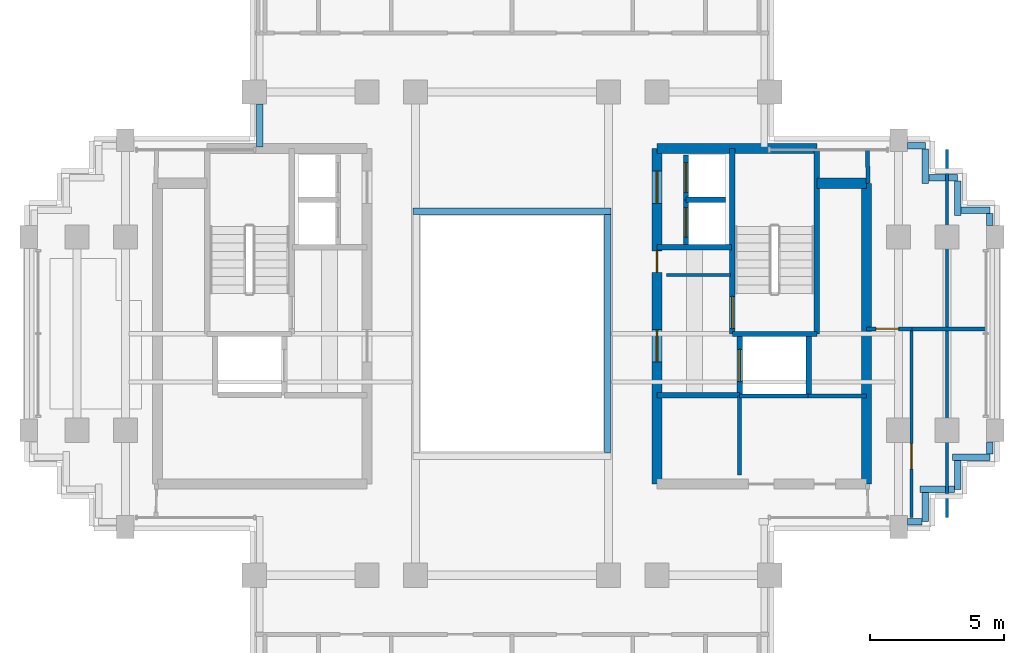
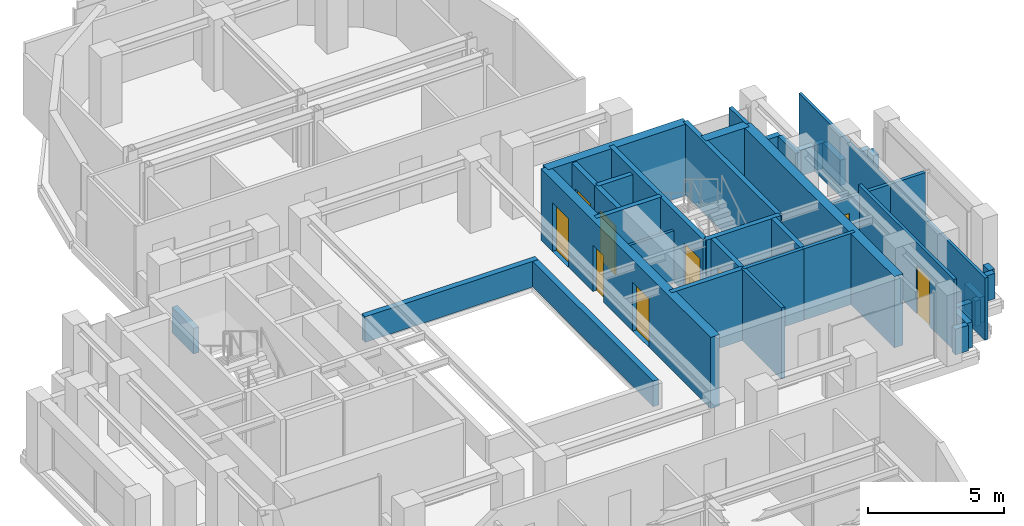
# One storey, part 7 of 11: 40 walls, 9 doors, 9 openings.
"""IFC4 building model written with IfcOpenShell, lengths in metres."""

from ifc_helpers import new_model, si_unit, direction, frame, frame_2d, origin, place, context, subcontext, project, spatial, rectangle, extrude, source, transform, mapped, material, layer, layer_set, type_object, element, fill, save


model = new_model("IFC4")

# Units and contexts
model_context = context("Model", 3, precision=1e-05, world=origin(), true_north=direction((0.0, 1.0)))
body_context = subcontext(model_context, "Body", "Model", "MODEL_VIEW")
ifc_project = project(units=[si_unit("LENGTHUNIT", "METRE"), si_unit("AREAUNIT", "SQUARE_METRE"), si_unit("VOLUMEUNIT", "CUBIC_METRE"), si_unit("PLANEANGLEUNIT", "RADIAN"), si_unit("MASSUNIT", "GRAM", prefix="KILO")], contexts=[model_context])

# Site, building, storey
site_placement = place(None, origin())
site = spatial("IfcSite", under=ifc_project, at=site_placement, CompositionType="ELEMENT")
building_placement = place(site_placement, origin())
building = spatial("IfcBuilding", under=site, at=building_placement, Name="Keilestroom Media Tower", CompositionType="ELEMENT")
storey_placement = place(building_placement, frame((0.0, 0.0, 194.39990234375)))
storey = spatial("IfcBuildingStorey", under=building, at=storey_placement, Name="L53", CompositionType="ELEMENT", Elevation=194.39990234375)

# Walls
ifc_material_1 = material(Name="Gypsum Plasterboard & Steel Stud", Category="steel")
ifc_layer_1 = layer(ifc_material_1, 0.1201171875)
ifc_layer_set_1 = layer_set([ifc_layer_1], Name="Gypsum Plasterboard & Steel Stud")
wall_type_1 = type_object("IfcWallType", Name="Interior-Partition-Wall-120", PredefinedType="PARTITIONING", material=ifc_layer_set_1)
wall_1_placement = place(storey_placement, frame((5.75, 2.179931640625, 0.0), z_axis=(0.0, 0.0, 1.0), x_axis=(1.0, 0.0, 0.0)))
element("IfcWall", 1, at=wall_1_placement, inside=storey, type_object=wall_type_1, Name="L53 Interior Wall WP-L53-CIE-S", PredefinedType="PARTITIONING", context=body_context, shape_type="SweptSolid", body=[
    extrude(rectangle(XDim=2.389892578125, YDim=0.1201171875, at=frame_2d((1.19482421875, 0.0))), origin(), (0.0, 0.0, 1.0), 2.300048828125),
])
wall_2_placement = place(storey_placement, frame((16.199951171875, -6.85009765625, 0.0), z_axis=(0.0, 0.0, 1.0), x_axis=(0.0, 1.0, 0.0)))
element("IfcWall", 2, at=wall_2_placement, inside=storey, type_object=wall_type_1, Name="L53 Interior Wall WP-L53-HGYM-COL", PredefinedType="PARTITIONING", context=body_context, shape_type="SweptSolid", body=[
    extrude(rectangle(XDim=13.7001953125, YDim=0.1201171875, at=frame_2d((6.85009765625, 0.0))), origin(), (0.0, 0.0, 1.0), 2.800048828125),
])

# Wall, opening, door
wall_3_placement = place(storey_placement, frame((14.8798828125, -6.85009765625, 0.0), z_axis=(0.0, 0.0, 1.0), x_axis=(0.0, 1.0, 0.0)))
wall_3 = element("IfcWall", 3, at=wall_3_placement, inside=storey, type_object=wall_type_1, Name="L53 Interior Wall WP-L53-HSKP307-W", PredefinedType="PARTITIONING", context=body_context, shape_type="SweptSolid", body=[
    extrude(rectangle(XDim=7.030029296875, YDim=0.1201171875, at=frame_2d((3.51513671875, 0.0))), origin(), (0.0, 0.0, 1.0), 3.2001953125),
])
opening_1_placement = place(wall_3_placement, frame((1.800048828125, 0.0, 0.0)))
opening_1 = element("IfcOpeningElement", 4, at=opening_1_placement, cuts=wall_3, Name="Opening DI-03", PredefinedType="OPENING", context=body_context, shape_type="SweptSolid", body=[
    extrude(rectangle(XDim=0.949951171875, YDim=2.14990234375, at=frame_2d((0.47509765625, 1.074951171875))), frame((0.0, 0.070068359375, 0.0), z_axis=(0.0, -1.0, 0.0), x_axis=(1.0, 0.0, 0.0)), (0.0, 0.0, 1.0), 0.14013671875),
])
ifc_material_2 = material(Name="Lacquered European Oak Leaf", Category="wood")
door_type_1 = type_object("IfcDoorType", Name="Interior-Room-And-Suite-Door-DI-03", OperationType="NOTDEFINED", PredefinedType="DOOR", material=ifc_material_2)
shared_shape_1 = source(origin(), body_context, "Body", "SweptSolid", [
    extrude(rectangle(XDim=0.949951171875, YDim=2.14990234375, at=frame_2d((0.47509765625, 1.074951171875))), frame((0.0, 0.02490234375, 0.0), z_axis=(0.0, -1.0, 0.0), x_axis=(1.0, 0.0, 0.0)), (0.0, 0.0, 1.0), 0.050048828125),
])
door_1_placement = place(opening_1_placement, origin())
door_1 = element("IfcDoor", 5, at=door_1_placement, inside=storey, type_object=door_type_1, Name="L53 Interior Door DI-L53-DHSKP307-L", OperationType="SINGLE_SWING_LEFT", OverallHeight=2.14990234375, OverallWidth=0.949951171875, PredefinedType="DOOR", context=body_context, shape_type="MappedRepresentation", body=[
    mapped(shared_shape_1, transform((0.0, 0.0, 0.0), x_axis=(1.0, 0.0, 0.0), y_axis=(0.0, 1.0, 0.0), z_axis=(0.0, 0.0, 1.0), scale=1.0)),
])
fill(opening_1, door_1)

# Walls
ifc_layer_2 = layer(ifc_material_1, 0.14990234375)
ifc_layer_set_2 = layer_set([ifc_layer_2], Name="Gypsum Plasterboard & Steel Stud")
wall_type_2 = type_object("IfcWallType", Name="Interior-Partition-Wall-150", PredefinedType="PARTITIONING", material=ifc_layer_set_2)
wall_4_placement = place(storey_placement, frame((11.02001953125, -2.320068359375, 0.0), z_axis=(0.0, 0.0, 1.0), x_axis=(1.0, 0.0, 0.0)))
element("IfcWall", 6, at=wall_4_placement, inside=storey, type_object=wall_type_2, Name="L53 Interior Wall WP-L53-RECLE-N", PredefinedType="PARTITIONING", context=body_context, shape_type="SweptSolid", body=[
    extrude(rectangle(XDim=2.179931640625, YDim=0.14990234375, at=frame_2d((1.08984375, 0.0))), origin(), (0.0, 0.0, 1.0), 3.2001953125),
])
wall_5_placement = place(storey_placement, frame((8.47998046875, -5.260009765625, 0.0), z_axis=(0.0, 0.0, 1.0), x_axis=(0.0, 1.0, 0.0)))
element("IfcWall", 7, at=wall_5_placement, inside=storey, type_object=wall_type_2, Name="L53 Interior Wall WP-L53-RECME-W", PredefinedType="PARTITIONING", context=body_context, shape_type="SweptSolid", body=[
    extrude(rectangle(XDim=2.93994140625, YDim=0.14990234375, at=frame_2d((1.469970703125, 0.0))), origin(), (0.0, 0.0, 1.0), 3.2001953125),
])
wall_6_placement = place(storey_placement, frame((8.47998046875, -2.320068359375, 0.0), z_axis=(0.0, 0.0, 1.0), x_axis=(1.0, 0.0, 0.0)))
element("IfcWall", 8, at=wall_6_placement, inside=storey, type_object=wall_type_2, Name="L53 Interior Wall WP-L53-RECME-N", PredefinedType="PARTITIONING", context=body_context, shape_type="SweptSolid", body=[
    extrude(rectangle(XDim=2.56005859375, YDim=0.14990234375, at=frame_2d((1.280029296875, 0.0))), origin(), (0.0, 0.0, 1.0), 3.2001953125),
])
wall_7_placement = place(storey_placement, frame((13.260009765625, 5.60009765625, 0.0), z_axis=(0.0, 0.0, 1.0), x_axis=(-0.016013571389, 0.999871774545, 0.0)))
element("IfcWall", 9, at=wall_7_placement, inside=storey, type_object=wall_type_2, Name="L53 Interior Wall WP-L53-HGYM-ENTN", PredefinedType="PARTITIONING", context=body_context, shape_type="SweptSolid", body=[
    extrude(rectangle(XDim=1.250244140625, YDim=0.14990234375, at=frame_2d((0.625, 0.0))), origin(), (0.0, 0.0, 1.0), 3.2001953125),
])
wall_8_placement = place(storey_placement, frame((14.89990234375, 0.179931640625, 0.0), z_axis=(0.0, 0.0, 1.0), x_axis=(1.0, 0.0, 0.0)))
element("IfcWall", 10, at=wall_8_placement, inside=storey, type_object=wall_type_2, Name="L53 Interior Wall WP-L53-HGYM-M", PredefinedType="PARTITIONING", context=body_context, shape_type="SweptSolid", body=[
    extrude(rectangle(XDim=2.75, YDim=0.14990234375, at=frame_2d((1.375, 0.0))), origin(), (0.0, 0.0, 1.0), 2.800048828125),
])

# Wall, opening, door
wall_9_placement = place(storey_placement, frame((13.199951171875, 0.179931640625, 0.0), z_axis=(0.0, 0.0, 1.0), x_axis=(1.0, 0.0, 0.0)))
wall_9 = element("IfcWall", 11, at=wall_9_placement, inside=storey, type_object=wall_type_2, Name="L53 Interior Wall WP-L53-HGYM-S0", PredefinedType="PARTITIONING", context=body_context, shape_type="SweptSolid", body=[
    extrude(rectangle(XDim=1.699951171875, YDim=0.14990234375, at=frame_2d((0.85009765625, 0.0))), origin(), (0.0, 0.0, 1.0), 2.800048828125),
])
opening_2_placement = place(wall_9_placement, frame((0.35009765625, 0.0, 0.0)))
opening_2 = element("IfcOpeningElement", 12, at=opening_2_placement, cuts=wall_9, Name="Opening DI-05", PredefinedType="OPENING", context=body_context, shape_type="SweptSolid", body=[
    extrude(rectangle(XDim=0.85009765625, YDim=2.10009765625, at=frame_2d((0.425048828125, 1.050048828125))), frame((0.0, 0.0849609375, 0.0), z_axis=(0.0, -1.0, 0.0), x_axis=(1.0, 0.0, 0.0)), (0.0, 0.0, 1.0), 0.169921875),
])
ifc_material_3 = material(Name="Moisture-Resistant Oak Leaf", Category="wood")
door_type_2 = type_object("IfcDoorType", Name="Interior-En-Suite-And-Cupboard-Door-DI-05", OperationType="NOTDEFINED", PredefinedType="DOOR", material=ifc_material_3)
shared_shape_2 = source(origin(), body_context, "Body", "SweptSolid", [
    extrude(rectangle(XDim=0.85009765625, YDim=2.10009765625, at=frame_2d((0.425048828125, 1.050048828125))), frame((0.0, 0.02490234375, 0.0), z_axis=(0.0, -1.0, 0.0), x_axis=(1.0, 0.0, 0.0)), (0.0, 0.0, 1.0), 0.050048828125),
])
door_2_placement = place(opening_2_placement, origin())
door_2 = element("IfcDoor", 13, at=door_2_placement, inside=storey, type_object=door_type_2, Name="L53 Interior Door DI-L53-DGYM-E", OperationType="SINGLE_SWING_RIGHT", OverallHeight=2.10009765625, OverallWidth=0.85009765625, PredefinedType="DOOR", context=body_context, shape_type="MappedRepresentation", body=[
    mapped(shared_shape_2, transform((0.0, 0.0, 0.0), x_axis=(1.0, 0.0, 0.0), y_axis=(0.0, 1.0, 0.0), z_axis=(0.0, 0.0, 1.0), scale=1.0)),
])
fill(opening_2, door_2)

# Wall
ifc_material_4 = material(Name="Concrete C55/67", Category="concrete")
ifc_layer_3 = layer(ifc_material_4, 0.3798828125)
ifc_layer_set_3 = layer_set([ifc_layer_3], Name="Concrete C55/67")
wall_type_3 = type_object("IfcWallType", Name="Reinforced-Concrete-Core-Shear-Wall-380", PredefinedType="SHEAR", material=ifc_layer_set_3)
wall_10_placement = place(storey_placement, frame((13.199951171875, -5.60009765625, 0.0), z_axis=(0.0, 0.0, 1.0), x_axis=(0.0, 1.0, 0.0)))
element("IfcWall", 14, at=wall_10_placement, inside=storey, type_object=wall_type_3, Name="L53 Core Shear Wall WL-L53-CORE-E-OUT", PredefinedType="SHEAR", context=body_context, shape_type="SweptSolid", body=[
    extrude(rectangle(XDim=11.2001953125, YDim=0.3798828125, at=frame_2d((5.60009765625, 0.0))), origin(), (0.0, 0.0, 1.0), 3.2001953125),
])

# Wall, openings, doors
wall_11_placement = place(storey_placement, frame((5.39990234375, -5.60009765625, 0.0), z_axis=(0.0, 0.0, 1.0), x_axis=(0.0, 1.0, 0.0)))
wall_11 = element("IfcWall", 15, at=wall_11_placement, inside=storey, type_object=wall_type_3, Name="L53 Core Shear Wall WL-L53-CORE-E-IN", PredefinedType="SHEAR", context=body_context, shape_type="SweptSolid", body=[
    extrude(rectangle(XDim=12.5, YDim=0.3798828125, at=frame_2d((6.25, 0.0))), origin(), (0.0, 0.0, 1.0), 3.2001953125),
])
opening_3_placement = place(wall_11_placement, frame((4.550048828125, 0.0, 0.0)))
opening_3 = element("IfcOpeningElement", 16, at=opening_3_placement, cuts=wall_11, Name="Opening DI-02", PredefinedType="OPENING", context=body_context, shape_type="SweptSolid", body=[
    extrude(rectangle(XDim=1.199951171875, YDim=2.199951171875, at=frame_2d((0.60009765625, 1.10009765625))), frame((0.0, 0.199951171875, 0.0), z_axis=(0.0, -1.0, 0.0), x_axis=(1.0, 0.0, 0.0)), (0.0, 0.0, 1.0), 0.39990234375),
])
opening_4_placement = place(wall_11_placement, frame((10.449951171875, 0.0, 0.0)))
opening_4 = element("IfcOpeningElement", 17, at=opening_4_placement, cuts=wall_11, Name="Opening DI-02", PredefinedType="OPENING", context=body_context, shape_type="SweptSolid", body=[
    extrude(rectangle(XDim=1.199951171875, YDim=2.199951171875, at=frame_2d((0.60009765625, 1.10009765625))), frame((0.0, 0.199951171875, 0.0), z_axis=(0.0, -1.0, 0.0), x_axis=(1.0, 0.0, 0.0)), (0.0, 0.0, 1.0), 0.39990234375),
])
opening_5_placement = place(wall_11_placement, frame((7.8798828125, 0.0, 0.0)))
opening_5 = element("IfcOpeningElement", 18, at=opening_5_placement, cuts=wall_11, Name="Opening DI-06", PredefinedType="OPENING", context=body_context, shape_type="SweptSolid", body=[
    extrude(rectangle(XDim=0.800048828125, YDim=2.10009765625, at=frame_2d((0.39990234375, 1.050048828125))), frame((0.0, 0.199951171875, 0.0), z_axis=(0.0, -1.0, 0.0), x_axis=(1.0, 0.0, 0.0)), (0.0, 0.0, 1.0), 0.39990234375),
])
ifc_material_5 = material(Name="Powder-Coated Steel Fire Leaf", Category="steel")
door_type_3 = type_object("IfcDoorType", Name="Interior-Compartment-Fire-Door-DI-02", OperationType="NOTDEFINED", PredefinedType="DOOR", material=ifc_material_5)
shared_shape_3 = source(origin(), body_context, "Body", "SweptSolid", [
    extrude(rectangle(XDim=1.199951171875, YDim=2.199951171875, at=frame_2d((0.60009765625, 1.10009765625))), frame((0.0, 0.02490234375, 0.0), z_axis=(0.0, -1.0, 0.0), x_axis=(1.0, 0.0, 0.0)), (0.0, 0.0, 1.0), 0.050048828125),
])
door_3_placement = place(opening_3_placement, origin())
door_3 = element("IfcDoor", 19, at=door_3_placement, inside=storey, type_object=door_type_3, Name="L53 E Firefighting Lobby Door", OperationType="SINGLE_SWING_LEFT", OverallHeight=2.199951171875, OverallWidth=1.199951171875, PredefinedType="DOOR", context=body_context, shape_type="MappedRepresentation", body=[
    mapped(shared_shape_3, transform((0.0, 0.0, 0.0), x_axis=(1.0, 0.0, 0.0), y_axis=(0.0, 1.0, 0.0), z_axis=(0.0, 0.0, 1.0), scale=1.0)),
])
fill(opening_3, door_3)
door_4_placement = place(opening_4_placement, origin())
door_4 = element("IfcDoor", 20, at=door_4_placement, inside=storey, type_object=door_type_3, Name="L53 E High-Rise Lift Lobby Door", OperationType="SINGLE_SWING_RIGHT", OverallHeight=2.199951171875, OverallWidth=1.199951171875, PredefinedType="DOOR", context=body_context, shape_type="MappedRepresentation", body=[
    mapped(shared_shape_3, transform((0.0, 0.0, 0.0), x_axis=(1.0, 0.0, 0.0), y_axis=(0.0, 1.0, 0.0), z_axis=(0.0, 0.0, 1.0), scale=1.0)),
])
fill(opening_4, door_4)
ifc_material_6 = material(Name="Powder-Coated Steel Service Leaf", Category="steel")
door_type_4 = type_object("IfcDoorType", Name="Interior-Riser-Access-Door-DI-06", OperationType="NOTDEFINED", PredefinedType="DOOR", material=ifc_material_6)
shared_shape_4 = source(origin(), body_context, "Body", "SweptSolid", [
    extrude(rectangle(XDim=0.800048828125, YDim=2.10009765625, at=frame_2d((0.39990234375, 1.050048828125))), frame((0.0, 0.02490234375, 0.0), z_axis=(0.0, -1.0, 0.0), x_axis=(1.0, 0.0, 0.0)), (0.0, 0.0, 1.0), 0.050048828125),
])
door_5_placement = place(opening_5_placement, origin())
door_5 = element("IfcDoor", 21, at=door_5_placement, inside=storey, type_object=door_type_4, Name="L53 East Core Closet Door", OperationType="SINGLE_SWING_RIGHT", OverallHeight=2.10009765625, OverallWidth=0.800048828125, PredefinedType="DOOR", context=body_context, shape_type="MappedRepresentation", body=[
    mapped(shared_shape_4, transform((0.0, 0.0, 0.0), x_axis=(1.0, 0.0, 0.0), y_axis=(0.0, 1.0, 0.0), z_axis=(0.0, 0.0, 1.0), scale=1.0)),
])
fill(opening_5, door_5)

# Walls
wall_12_placement = place(storey_placement, frame((5.39990234375, 6.89990234375, 0.0), z_axis=(0.0, 0.0, 1.0), x_axis=(1.0, 0.0, 0.0)))
element("IfcWall", 22, at=wall_12_placement, inside=storey, type_object=wall_type_3, Name="L53 Core Shear Wall WL-L53-CORE-E-N", PredefinedType="SHEAR", context=body_context, shape_type="SweptSolid", body=[
    extrude(rectangle(XDim=5.9560546875, YDim=0.3798828125, at=frame_2d((2.97802734375, 0.0))), origin(), (0.0, 0.0, 1.0), 3.2001953125),
])
wall_13_placement = place(storey_placement, frame((11.35595703125, 5.60009765625, 0.0), z_axis=(0.0, 0.0, 1.0), x_axis=(1.0, 0.0, 0.0)))
element("IfcWall", 23, at=wall_13_placement, inside=storey, type_object=wall_type_3, Name="L53 Core Shear Wall WL-L53-CNE-N", PredefinedType="SHEAR", context=body_context, shape_type="SweptSolid", body=[
    extrude(rectangle(XDim=1.843994140625, YDim=0.3798828125, at=frame_2d((0.921875, 0.0))), origin(), (0.0, 0.0, 1.0), 3.2001953125),
])
ifc_material_7 = material(Name="Concrete C50/60", Category="concrete")
ifc_layer_4 = layer(ifc_material_7, 0.199951171875)
ifc_layer_set_4 = layer_set([ifc_layer_4], Name="Concrete C50/60")
wall_type_4 = type_object("IfcWallType", Name="Reinforced-Concrete-Shaft-Wall-200", PredefinedType="SOLIDWALL", material=ifc_layer_set_4)
wall_14_placement = place(storey_placement, frame((5.39990234375, 3.219970703125, 0.0), z_axis=(0.0, 0.0, 1.0), x_axis=(1.0, 0.0, 0.0)))
element("IfcWall", 24, at=wall_14_placement, inside=storey, type_object=wall_type_4, Name="L53 Core Shear Wall WL-L53-CORE-E-FFN", PredefinedType="SOLIDWALL", context=body_context, shape_type="SweptSolid", body=[
    extrude(rectangle(XDim=2.780029296875, YDim=0.199951171875, at=frame_2d((1.39013671875, 0.0))), origin(), (0.0, 0.0, 1.0), 3.2001953125),
])
wall_15_placement = place(storey_placement, frame((5.39990234375, -2.300048828125, 0.0), z_axis=(0.0, 0.0, 1.0), x_axis=(1.0, 0.0, 0.0)))
element("IfcWall", 25, at=wall_15_placement, inside=storey, type_object=wall_type_4, Name="L53 Core Shear Wall WL-L53-CORE-E-FFS", PredefinedType="SOLIDWALL", context=body_context, shape_type="SweptSolid", body=[
    extrude(rectangle(XDim=3.080078125, YDim=0.199951171875, at=frame_2d((1.5400390625, 0.0))), origin(), (0.0, 0.0, 1.0), 3.2001953125),
])

# Wall, opening, door
wall_16_placement = place(storey_placement, frame((8.2041015625, -0.01611328125, 0.0), z_axis=(0.0, 0.0, 1.0), x_axis=(0.0, 1.0, 0.0)))
wall_16 = element("IfcWall", 26, at=wall_16_placement, inside=storey, type_object=wall_type_4, Name="L53 Core Shear Wall WL-L53-STW-E-NEAR", PredefinedType="SOLIDWALL", context=body_context, shape_type="SweptSolid", body=[
    extrude(rectangle(XDim=6.916015625, YDim=0.199951171875, at=frame_2d((3.4580078125, 0.0))), origin(), (0.0, 0.0, 1.0), 3.2001953125),
])
opening_6_placement = place(wall_16_placement, frame((0.199951171875, 0.0, 0.0)))
opening_6 = element("IfcOpeningElement", 27, at=opening_6_placement, cuts=wall_16, Name="Opening DI-01S", PredefinedType="OPENING", context=body_context, shape_type="SweptSolid", body=[
    extrude(rectangle(XDim=1.199951171875, YDim=2.199951171875, at=frame_2d((0.60009765625, 1.10009765625))), frame((0.0, 0.10986328125, 0.0), z_axis=(0.0, -1.0, 0.0), x_axis=(1.0, 0.0, 0.0)), (0.0, 0.0, 1.0), 0.219970703125),
])
door_type_5 = type_object("IfcDoorType", Name="Interior-Stair-And-Core-Fire-Door-DI-01", OperationType="NOTDEFINED", PredefinedType="DOOR", material=ifc_material_5)
door_6_placement = place(opening_6_placement, origin())
door_6 = element("IfcDoor", 28, at=door_6_placement, inside=storey, type_object=door_type_5, Name="L53 Escape Stair ST-2 Fire Door", OperationType="SINGLE_SWING_RIGHT", OverallHeight=2.199951171875, OverallWidth=1.199951171875, PredefinedType="DOOR", context=body_context, shape_type="MappedRepresentation", body=[
    mapped(shared_shape_3, transform((0.0, 0.0, 0.0), x_axis=(1.0, 0.0, 0.0), y_axis=(0.0, 1.0, 0.0), z_axis=(0.0, 0.0, 1.0), scale=1.0)),
])
fill(opening_6, door_6)

# Walls
wall_17_placement = place(storey_placement, frame((11.35595703125, -0.01611328125, 0.0), z_axis=(0.0, 0.0, 1.0), x_axis=(0.0, 1.0, 0.0)))
element("IfcWall", 29, at=wall_17_placement, inside=storey, type_object=wall_type_4, Name="L53 Core Shear Wall WL-L53-STW-E-FAR", PredefinedType="SOLIDWALL", context=body_context, shape_type="SweptSolid", body=[
    extrude(rectangle(XDim=6.916015625, YDim=0.199951171875, at=frame_2d((3.4580078125, 0.0))), origin(), (0.0, 0.0, 1.0), 3.2001953125),
])
wall_18_placement = place(storey_placement, frame((8.2041015625, -0.01611328125, 0.0), z_axis=(0.0, 0.0, 1.0), x_axis=(1.0, 0.0, 0.0)))
element("IfcWall", 30, at=wall_18_placement, inside=storey, type_object=wall_type_4, Name="L53 Core Shear Wall WL-L53-STW-E-S", PredefinedType="SOLIDWALL", context=body_context, shape_type="SweptSolid", body=[
    extrude(rectangle(XDim=3.15185546875, YDim=0.199951171875, at=frame_2d((1.575927734375, 0.0))), origin(), (0.0, 0.0, 1.0), 3.2001953125),
])

# Wall, opening, door
wall_19_placement = place(storey_placement, frame((8.47998046875, -2.280029296875, 0.0), z_axis=(0.0, 0.0, 1.0), x_axis=(0.0, 1.0, 0.0)))
wall_19 = element("IfcWall", 31, at=wall_19_placement, inside=storey, type_object=wall_type_4, Name="L53 Core Shear Wall WL-L53-LSH-FFL-2-W", PredefinedType="SOLIDWALL", context=body_context, shape_type="SweptSolid", body=[
    extrude(rectangle(XDim=2.179931640625, YDim=0.199951171875, at=frame_2d((1.08984375, 0.0))), origin(), (0.0, 0.0, 1.0), 3.2001953125),
])
opening_7_placement = place(wall_19_placement, frame((0.489990234375, 0.0, 0.0)))
opening_7 = element("IfcOpeningElement", 32, at=opening_7_placement, cuts=wall_19, Name="Opening LD-02", PredefinedType="OPENING", context=body_context, shape_type="SweptSolid", body=[
    extrude(rectangle(XDim=1.199951171875, YDim=2.199951171875, at=frame_2d((0.60009765625, 1.10009765625))), frame((0.0, 0.10986328125, 0.0), z_axis=(0.0, -1.0, 0.0), x_axis=(1.0, 0.0, 0.0)), (0.0, 0.0, 1.0), 0.219970703125),
])
ifc_material_8 = material(Name="Brushed Stainless Steel Sliding Leaf", Category="steel")
door_type_6 = type_object("IfcDoorType", Name="Lift-Landing-Sliding-Door-LD-02", OperationType="SLIDING_TO_RIGHT", PredefinedType="DOOR", material=ifc_material_8)
door_7_placement = place(opening_7_placement, origin())
door_7 = element("IfcDoor", 33, at=door_7_placement, inside=storey, type_object=door_type_6, Name="L53 Lift FFL-2 Landing Sliding Door", OperationType="SLIDING_TO_RIGHT", OverallHeight=2.199951171875, OverallWidth=1.199951171875, PredefinedType="DOOR", context=body_context, shape_type="MappedRepresentation", body=[
    mapped(shared_shape_3, transform((0.0, 0.0, 0.0), x_axis=(1.0, 0.0, 0.0), y_axis=(0.0, 1.0, 0.0), z_axis=(0.0, 0.0, 1.0), scale=1.0)),
])
fill(opening_7, door_7)

# Wall
wall_20_placement = place(storey_placement, frame((11.050048828125, -2.280029296875, 0.0), z_axis=(0.0, 0.0, 1.0), x_axis=(0.0, 1.0, 0.0)))
element("IfcWall", 34, at=wall_20_placement, inside=storey, type_object=wall_type_4, Name="L53 Core Shear Wall WL-L53-LSH-FFL-2-E", PredefinedType="SOLIDWALL", context=body_context, shape_type="SweptSolid", body=[
    extrude(rectangle(XDim=2.179931640625, YDim=0.199951171875, at=frame_2d((1.08984375, 0.0))), origin(), (0.0, 0.0, 1.0), 3.2001953125),
])

# Wall, opening, door
wall_21_placement = place(storey_placement, frame((6.47998046875, 3.300048828125, 0.0), z_axis=(0.0, 0.0, 1.0), x_axis=(0.0, 1.0, 0.0)))
wall_21 = element("IfcWall", 35, at=wall_21_placement, inside=storey, type_object=wall_type_4, Name="L53 Core Shear Wall WL-L53-LSH-PL-H3-W", PredefinedType="SOLIDWALL", context=body_context, shape_type="SweptSolid", body=[
    extrude(rectangle(XDim=1.679931640625, YDim=0.199951171875, at=frame_2d((0.83984375, 0.0))), origin(), (0.0, 0.0, 1.0), 3.2001953125),
])
opening_8_placement = place(wall_21_placement, frame((0.2900390625, 0.0, 0.0)))
opening_8 = element("IfcOpeningElement", 36, at=opening_8_placement, cuts=wall_21, Name="Opening LD-01", PredefinedType="OPENING", context=body_context, shape_type="SweptSolid", body=[
    extrude(rectangle(XDim=1.10009765625, YDim=2.199951171875, at=frame_2d((0.550048828125, 1.10009765625))), frame((0.0, 0.10986328125, 0.0), z_axis=(0.0, -1.0, 0.0), x_axis=(1.0, 0.0, 0.0)), (0.0, 0.0, 1.0), 0.219970703125),
])
door_type_7 = type_object("IfcDoorType", Name="Lift-Landing-Sliding-Door-LD-01", OperationType="SLIDING_TO_LEFT", PredefinedType="DOOR", material=ifc_material_8)
shared_shape_5 = source(origin(), body_context, "Body", "SweptSolid", [
    extrude(rectangle(XDim=1.10009765625, YDim=2.199951171875, at=frame_2d((0.550048828125, 1.10009765625))), frame((0.0, 0.02490234375, 0.0), z_axis=(0.0, -1.0, 0.0), x_axis=(1.0, 0.0, 0.0)), (0.0, 0.0, 1.0), 0.050048828125),
])
door_8_placement = place(opening_8_placement, origin())
door_8 = element("IfcDoor", 37, at=door_8_placement, inside=storey, type_object=door_type_7, Name="L53 Lift PL-H3 Landing Sliding Door", OperationType="SLIDING_TO_LEFT", OverallHeight=2.199951171875, OverallWidth=1.10009765625, PredefinedType="DOOR", context=body_context, shape_type="MappedRepresentation", body=[
    mapped(shared_shape_5, transform((0.0, 0.0, 0.0), x_axis=(1.0, 0.0, 0.0), y_axis=(0.0, 1.0, 0.0), z_axis=(0.0, 0.0, 1.0), scale=1.0)),
])
fill(opening_8, door_8)

# Wall
wall_22_placement = place(storey_placement, frame((6.47998046875, 4.97998046875, 0.0), z_axis=(0.0, 0.0, 1.0), x_axis=(1.0, 0.0, 0.0)))
element("IfcWall", 38, at=wall_22_placement, inside=storey, type_object=wall_type_4, Name="L53 Core Shear Wall WL-L53-LSH-PL-H3-N", PredefinedType="SOLIDWALL", context=body_context, shape_type="SweptSolid", body=[
    extrude(rectangle(XDim=1.469970703125, YDim=0.199951171875, at=frame_2d((0.73486328125, 0.0))), origin(), (0.0, 0.0, 1.0), 3.2001953125),
])

# Wall, opening, door
wall_23_placement = place(storey_placement, frame((6.47998046875, 4.97998046875, 0.0), z_axis=(0.0, 0.0, 1.0), x_axis=(0.0, 1.0, 0.0)))
wall_23 = element("IfcWall", 39, at=wall_23_placement, inside=storey, type_object=wall_type_4, Name="L53 Core Shear Wall WL-L53-LSH-PL-H4-W", PredefinedType="SOLIDWALL", context=body_context, shape_type="SweptSolid", body=[
    extrude(rectangle(XDim=1.669921875, YDim=0.199951171875, at=frame_2d((0.8349609375, 0.0))), origin(), (0.0, 0.0, 1.0), 3.2001953125),
])
opening_9_placement = place(wall_23_placement, frame((0.284912109375, 0.0, 0.0)))
opening_9 = element("IfcOpeningElement", 40, at=opening_9_placement, cuts=wall_23, Name="Opening LD-01", PredefinedType="OPENING", context=body_context, shape_type="SweptSolid", body=[
    extrude(rectangle(XDim=1.10009765625, YDim=2.199951171875, at=frame_2d((0.550048828125, 1.10009765625))), frame((0.0, 0.10986328125, 0.0), z_axis=(0.0, -1.0, 0.0), x_axis=(1.0, 0.0, 0.0)), (0.0, 0.0, 1.0), 0.219970703125),
])
door_9_placement = place(opening_9_placement, origin())
door_9 = element("IfcDoor", 41, at=door_9_placement, inside=storey, type_object=door_type_7, Name="L53 Lift PL-H4 Landing Sliding Door", OperationType="SLIDING_TO_LEFT", OverallHeight=2.199951171875, OverallWidth=1.10009765625, PredefinedType="DOOR", context=body_context, shape_type="MappedRepresentation", body=[
    mapped(shared_shape_5, transform((0.0, 0.0, 0.0), x_axis=(1.0, 0.0, 0.0), y_axis=(0.0, 1.0, 0.0), z_axis=(0.0, 0.0, 1.0), scale=1.0)),
])
fill(opening_9, door_9)

# Walls
ifc_material_9 = material(Name="Precast concrete C40/50", Category="concrete")
ifc_layer_5 = layer(ifc_material_9, 0.239990234375)
ifc_layer_set_5 = layer_set([ifc_layer_5], Name="Precast concrete C40/50")
wall_type_5 = type_object("IfcWallType", Name="Roof-And-Terrace-Parapet-Wall-240", PredefinedType="PARAPET", material=ifc_layer_set_5)
wall_24_placement = place(storey_placement, frame((17.800048828125, -4.60009765625, 0.0), z_axis=(0.0, 0.0, 1.0), x_axis=(-1.0, 0.0, 0.0)))
element("IfcWall", 42, at=wall_24_placement, inside=storey, type_object=wall_type_5, Name="L53 Perimeter Edge Parapet Wall 01", PredefinedType="PARAPET", context=body_context, shape_type="SweptSolid", body=[
    extrude(rectangle(XDim=1.400146484375, YDim=0.239990234375, at=frame_2d((0.7001953125, 0.0))), origin(), (0.0, 0.0, 1.0), 1.150146484375),
])
wall_25_placement = place(storey_placement, frame((16.60009765625, -4.722900390625, 0.0), z_axis=(0.0, 0.0, 1.0), x_axis=(0.0, -1.0, 0.0)))
element("IfcWall", 43, at=wall_25_placement, inside=storey, type_object=wall_type_5, Name="L53 Perimeter Edge Parapet Wall 02", PredefinedType="PARAPET", context=body_context, shape_type="SweptSolid", body=[
    extrude(rectangle(XDim=1.0771484375, YDim=0.239990234375, at=frame_2d((0.53857421875, 0.0))), origin(), (0.0, 0.0, 1.0), 1.150146484375),
])
wall_26_placement = place(storey_placement, frame((16.47705078125, -5.800048828125, 0.0), z_axis=(0.0, 0.0, 1.0), x_axis=(-1.0, 0.0, 0.0)))
element("IfcWall", 44, at=wall_26_placement, inside=storey, type_object=wall_type_5, Name="L53 Perimeter Edge Parapet Wall 03", PredefinedType="PARAPET", context=body_context, shape_type="SweptSolid", body=[
    extrude(rectangle(XDim=0.214111328125, YDim=0.239990234375, at=frame_2d((0.10693359375, 0.0))), origin(), (0.0, 0.0, 1.0), 1.150146484375),
])
wall_27_placement = place(storey_placement, frame((16.136962890625, -5.800048828125, 0.0), z_axis=(0.0, 0.0, 1.0), x_axis=(-1.0, 0.0, 0.0)))
element("IfcWall", 45, at=wall_27_placement, inside=storey, type_object=wall_type_5, Name="L53 Perimeter Edge Parapet Wall 04", PredefinedType="PARAPET", context=body_context, shape_type="SweptSolid", body=[
    extrude(rectangle(XDim=0.93701171875, YDim=0.239990234375, at=frame_2d((0.468505859375, 0.0))), origin(), (0.0, 0.0, 1.0), 1.150146484375),
])
wall_28_placement = place(storey_placement, frame((15.39990234375, -5.923095703125, 0.0), z_axis=(0.0, 0.0, 1.0), x_axis=(0.0, -1.0, 0.0)))
element("IfcWall", 46, at=wall_28_placement, inside=storey, type_object=wall_type_5, Name="L53 Perimeter Edge Parapet Wall 05", PredefinedType="PARAPET", context=body_context, shape_type="SweptSolid", body=[
    extrude(rectangle(XDim=1.076904296875, YDim=0.239990234375, at=frame_2d((0.53857421875, 0.0))), origin(), (0.0, 0.0, 1.0), 1.150146484375),
])
wall_29_placement = place(storey_placement, frame((15.277099609375, -7.0, 0.0), z_axis=(0.0, 0.0, 1.0), x_axis=(-1.0, 0.0, 0.0)))
element("IfcWall", 47, at=wall_29_placement, inside=storey, type_object=wall_type_5, Name="L53 Perimeter Edge Parapet Wall 06", PredefinedType="PARAPET", context=body_context, shape_type="SweptSolid", body=[
    extrude(rectangle(XDim=0.549072265625, YDim=0.239990234375, at=frame_2d((0.2744140625, 0.0))), origin(), (0.0, 0.0, 1.0), 1.150146484375),
])
wall_30_placement = place(storey_placement, frame((-9.39990234375, 6.952880859375, 0.0), z_axis=(0.0, 0.0, 1.0), x_axis=(0.0, 1.0, 0.0)))
element("IfcWall", 48, at=wall_30_placement, inside=storey, type_object=wall_type_5, Name="L53 Perimeter Edge Parapet Wall 27", PredefinedType="PARAPET", context=body_context, shape_type="SweptSolid", body=[
    extrude(rectangle(XDim=1.59423828125, YDim=0.239990234375, at=frame_2d((0.797119140625, 0.0))), origin(), (0.0, 0.0, 1.0), 1.150146484375),
])
wall_31_placement = place(storey_placement, frame((14.72802734375, 7.0, 0.0), z_axis=(0.0, 0.0, 1.0), x_axis=(1.0, 0.0, 0.0)))
element("IfcWall", 49, at=wall_31_placement, inside=storey, type_object=wall_type_5, Name="L53 Perimeter Edge Parapet Wall 34", PredefinedType="PARAPET", context=body_context, shape_type="SweptSolid", body=[
    extrude(rectangle(XDim=0.671875, YDim=0.239990234375, at=frame_2d((0.3359375, 0.0))), origin(), (0.0, 0.0, 1.0), 1.150146484375),
])
wall_32_placement = place(storey_placement, frame((15.39990234375, 6.876953125, 0.0), z_axis=(0.0, 0.0, 1.0), x_axis=(0.0, -1.0, 0.0)))
element("IfcWall", 50, at=wall_32_placement, inside=storey, type_object=wall_type_5, Name="L53 Perimeter Edge Parapet Wall 35", PredefinedType="PARAPET", context=body_context, shape_type="SweptSolid", body=[
    extrude(rectangle(XDim=1.27685546875, YDim=0.239990234375, at=frame_2d((0.638427734375, 0.0))), origin(), (0.0, 0.0, 1.0), 1.150146484375),
])
wall_33_placement = place(storey_placement, frame((15.52294921875, 5.800048828125, 0.0), z_axis=(0.0, 0.0, 1.0), x_axis=(1.0, 0.0, 0.0)))
element("IfcWall", 51, at=wall_33_placement, inside=storey, type_object=wall_type_5, Name="L53 Perimeter Edge Parapet Wall 36", PredefinedType="PARAPET", context=body_context, shape_type="SweptSolid", body=[
    extrude(rectangle(XDim=0.614013671875, YDim=0.239990234375, at=frame_2d((0.30712890625, 0.0))), origin(), (0.0, 0.0, 1.0), 1.150146484375),
])
wall_34_placement = place(storey_placement, frame((16.262939453125, 5.800048828125, 0.0), z_axis=(0.0, 0.0, 1.0), x_axis=(1.0, 0.0, 0.0)))
element("IfcWall", 52, at=wall_34_placement, inside=storey, type_object=wall_type_5, Name="L53 Perimeter Edge Parapet Wall 37", PredefinedType="PARAPET", context=body_context, shape_type="SweptSolid", body=[
    extrude(rectangle(XDim=0.337158203125, YDim=0.239990234375, at=frame_2d((0.16845703125, 0.0))), origin(), (0.0, 0.0, 1.0), 1.150146484375),
])
wall_35_placement = place(storey_placement, frame((16.60009765625, 5.677001953125, 0.0), z_axis=(0.0, 0.0, 1.0), x_axis=(0.0, -1.0, 0.0)))
element("IfcWall", 53, at=wall_35_placement, inside=storey, type_object=wall_type_5, Name="L53 Perimeter Edge Parapet Wall 38", PredefinedType="PARAPET", context=body_context, shape_type="SweptSolid", body=[
    extrude(rectangle(XDim=1.277099609375, YDim=0.239990234375, at=frame_2d((0.638671875, 0.0))), origin(), (0.0, 0.0, 1.0), 1.150146484375),
])
wall_36_placement = place(storey_placement, frame((16.722900390625, 4.60009765625, 0.0), z_axis=(0.0, 0.0, 1.0), x_axis=(1.0, 0.0, 0.0)))
element("IfcWall", 54, at=wall_36_placement, inside=storey, type_object=wall_type_5, Name="L53 Perimeter Edge Parapet Wall 39", PredefinedType="PARAPET", context=body_context, shape_type="SweptSolid", body=[
    extrude(rectangle(XDim=1.0771484375, YDim=0.239990234375, at=frame_2d((0.53857421875, 0.0))), origin(), (0.0, 0.0, 1.0), 1.150146484375),
])
for number, where, z_axis, x_axis, name in (
    (55, (17.800048828125, 4.47705078125, 0.0), (0.0, 0.0, 1.0), (0.0, -1.0, 0.0), "L53 Perimeter Edge Parapet Wall 40"),
    (56, (17.800048828125, -4.028076171875, 0.0), (0.0, 0.0, 1.0), (0.0, -1.0, 0.0), "L53 Perimeter Edge Parapet Wall 41"),
):
    element("IfcWall", number, at=place(storey_placement, frame(where, z_axis=z_axis, x_axis=x_axis)), inside=storey, type_object=wall_type_5, Name=name, PredefinedType="PARAPET", context=body_context, shape_type="SweptSolid", body=[
        extrude(rectangle(XDim=0.448974609375, YDim=0.239990234375, at=frame_2d((0.224609375, 0.0))), origin(), (0.0, 0.0, 1.0), 1.150146484375),
    ])
wall_37_placement = place(storey_placement, frame((-3.679931640625, 4.56005859375, 0.0), z_axis=(0.0, 0.0, 1.0), x_axis=(1.0, 0.0, 0.0)))
element("IfcWall", 57, at=wall_37_placement, inside=storey, type_object=wall_type_5, Name="L53 Central Atrium Guard Parapet N", PredefinedType="PARAPET", context=body_context, shape_type="SweptSolid", body=[
    extrude(rectangle(XDim=7.35986328125, YDim=0.239990234375, at=frame_2d((3.679931640625, 0.0))), origin(), (0.0, 0.0, 1.0), 1.150146484375),
])
wall_38_placement = place(storey_placement, frame((3.56005859375, -4.43505859375, 0.0), z_axis=(0.0, 0.0, 1.0), x_axis=(0.0, 1.0, 0.0)))
element("IfcWall", 58, at=wall_38_placement, inside=storey, type_object=wall_type_5, Name="L53 Central Atrium Guard Parapet E", PredefinedType="PARAPET", context=body_context, shape_type="SweptSolid", body=[
    extrude(rectangle(XDim=8.8701171875, YDim=0.239990234375, at=frame_2d((4.43505859375, 0.0))), origin(), (0.0, 0.0, 1.0), 1.150146484375),
])

save(model, "model.ifc")
